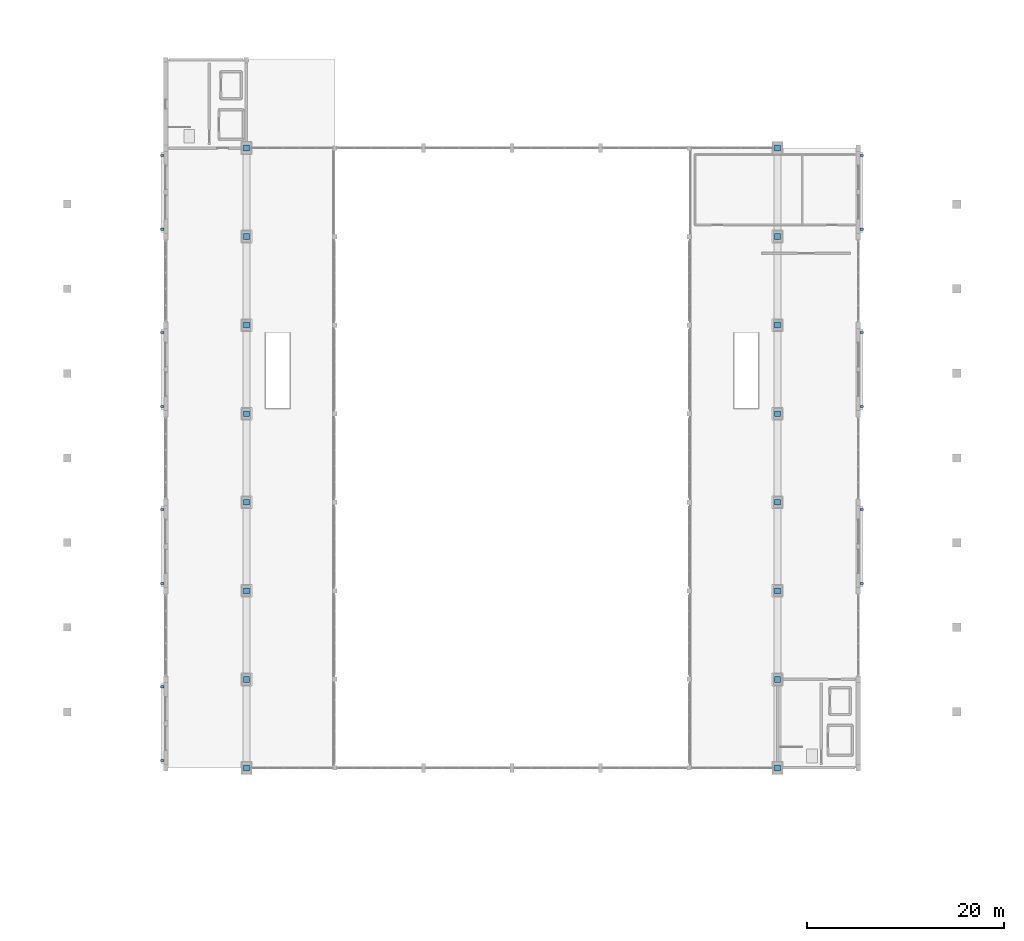
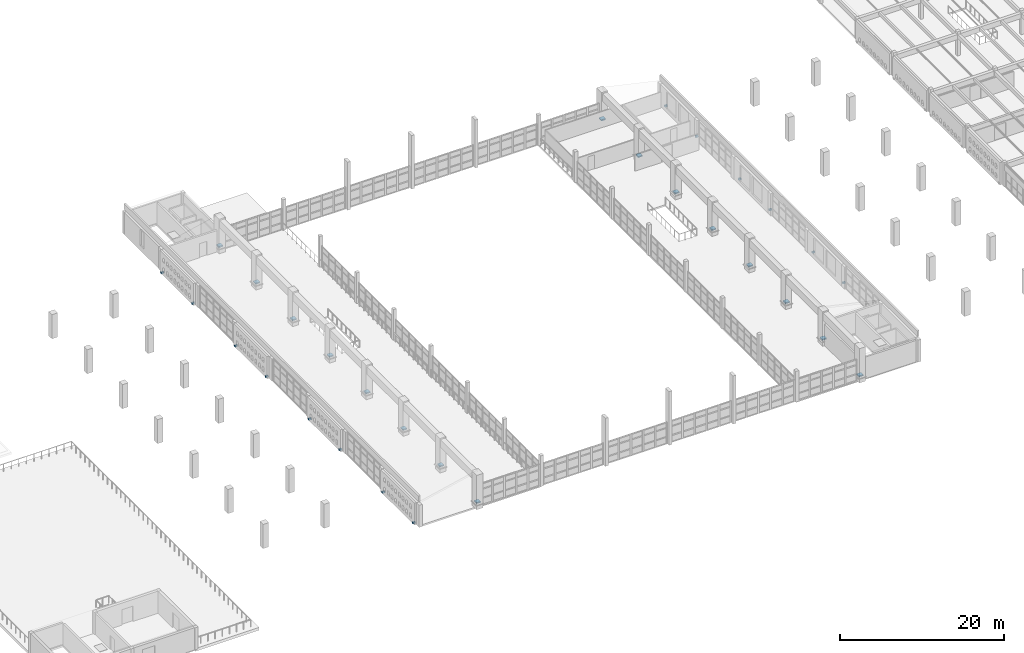
# One storey, part 72 of 80: 30 discrete accessories.
"""IFC4 building model written with IfcOpenShell, lengths in metres."""

import ifcopenshell
import ifcopenshell.guid

model = None  # the IFC model being written
_history = None  # IfcOwnerHistory: only IFC2X3 demands one
_inside = {}  # id of a spatial element -> (the spatial element, [elements in it])
_under = {}  # id of a project, library or spatial element -> (it, [spatial elements below it])
_declared = {}  # id of a project -> (the project, [libraries it declares])
_typed = {}  # id of a type object -> (the type object, [elements of that type])
_made_of = {}  # id of a material, layer set ... -> (it, [elements and type objects made of it])


def new_model(schema):
    """Start an empty IFC model of exactly this schema.

    Asked for "IFC4X3", IfcOpenShell would pick the latest addendum, in which some entities
    have other attributes; the version numbers below select the first issue.
    IFC2X3 requires an IfcOwnerHistory on every rooted entity: one is made here for all.
    """
    global model, _history
    if schema == "IFC4X3":
        model = ifcopenshell.file(schema_version=(4, 3, 0, 0))
    else:
        model = ifcopenshell.file(schema=schema)
    _inside.clear()
    _under.clear()
    _declared.clear()
    _typed.clear()
    _made_of.clear()
    _history = None
    if model.schema == "IFC2X3":
        org = make("IfcOrganization", Name="unknown")
        user = make(
            "IfcPersonAndOrganization",
            ThePerson=make("IfcPerson", FamilyName="unknown"),
            TheOrganization=org,
        )
        app = make(
            "IfcApplication",
            ApplicationDeveloper=org,
            Version="unknown",
            ApplicationFullName="unknown",
            ApplicationIdentifier="unknown",
        )
        _history = make(
            "IfcOwnerHistory",
            OwningUser=user,
            OwningApplication=app,
            ChangeAction="ADDED",
            CreationDate=0,
        )
    return model


def make(cls, **values):
    """One entity of the class cls with the attributes given. An attribute that is None is left unset."""
    return model.create_entity(
        cls, **{name: value for name, value in values.items() if value is not None}
    )


def rooted(cls, **values):
    """An entity with a GlobalId (a new one), such as an element, a storey or a relation."""
    return make(cls, GlobalId=ifcopenshell.guid.new(), OwnerHistory=_history, **values)


def si_unit(unit_type, name, prefix=None):
    """IfcSIUnit, for example si_unit("LENGTHUNIT", "METRE", prefix="MILLI")."""
    return make("IfcSIUnit", UnitType=unit_type, Prefix=prefix, Name=name)


def assignment(units):
    """IfcUnitAssignment: the units of a project."""
    return None if units is None else make("IfcUnitAssignment", Units=units)


def point(xyz):
    """IfcCartesianPoint."""
    return None if xyz is None else make("IfcCartesianPoint", Coordinates=xyz)


def direction(xyz):
    """IfcDirection."""
    return None if xyz is None else make("IfcDirection", DirectionRatios=xyz)


def frame(location, z_axis=None, x_axis=None):
    """IfcAxis2Placement3D, a coordinate frame: its origin and axes. An axis left out is left unset."""
    return make(
        "IfcAxis2Placement3D",
        Location=point(location),
        Axis=direction(z_axis),
        RefDirection=direction(x_axis),
    )


def frame_2d(location, x_axis=None):
    """IfcAxis2Placement2D, a coordinate frame in the plane: its origin and x axis."""
    return make(
        "IfcAxis2Placement2D", Location=point(location), RefDirection=direction(x_axis)
    )


def origin():
    """The frame at (0, 0, 0) with its axes left unset."""
    return frame((0.0, 0.0, 0.0))


def origin_2d():
    """The frame at (0, 0) in the plane with its x axis left unset."""
    return frame_2d((0.0, 0.0))


def place(relative_to, where):
    """IfcLocalPlacement: puts the frame where relative to a parent placement (None: the world)."""
    return make(
        "IfcLocalPlacement", PlacementRelTo=relative_to, RelativePlacement=where
    )


def context(
    kind, dimensions, precision=None, world=None, true_north=None, identifier=None
):
    """IfcGeometricRepresentationContext, for example the 3D "Model" context."""
    return make(
        "IfcGeometricRepresentationContext",
        ContextIdentifier=identifier,
        ContextType=kind,
        CoordinateSpaceDimension=dimensions,
        Precision=precision,
        WorldCoordinateSystem=world,
        TrueNorth=true_north,
    )


def subcontext(parent, identifier, kind, view, scale=None):
    """IfcGeometricRepresentationSubContext, for example "Body" below "Model"."""
    return make(
        "IfcGeometricRepresentationSubContext",
        ContextIdentifier=identifier,
        ContextType=kind,
        ParentContext=parent,
        TargetScale=scale,
        TargetView=view,
    )


def project(units=None, contexts=None):
    """IfcProject with its units and contexts."""
    return rooted(
        "IfcProject",
        Name="project",
        RepresentationContexts=contexts,
        UnitsInContext=assignment(units),
    )


def spatial(cls, under=None, at=None, **own):
    """A site, building, storey or space (cls), placed at a placement, below another one or the project."""
    s = rooted(cls, ObjectPlacement=at, **own)
    if under is not None:
        _under.setdefault(under.id(), (under, []))[1].append(s)
    return s


def profile(cls, at=None, kind="AREA", **sizes):
    """A parametric profile (cls). Its sizes go by their IFC names, for example OverallWidth=200.0."""
    return make(cls, ProfileType=kind, Position=at, **sizes)


def rectangle(**sizes):
    """IfcRectangleProfileDef."""
    return profile("IfcRectangleProfileDef", **sizes)


def extrude(swept, where, along, depth):
    """IfcExtrudedAreaSolid: the profile swept, set in the frame where, extruded along a direction by depth."""
    return make(
        "IfcExtrudedAreaSolid",
        SweptArea=swept,
        Position=where,
        ExtrudedDirection=direction(along),
        Depth=depth,
    )


def shape(context_of_items, identifier, shape_type, items):
    """IfcShapeRepresentation: the items that make up one representation, for example the "Body"."""
    return make(
        "IfcShapeRepresentation",
        ContextOfItems=context_of_items,
        RepresentationIdentifier=identifier,
        RepresentationType=shape_type,
        Items=items,
    )


def material(Name=None, Category=None):
    """IfcMaterial."""
    return make("IfcMaterial", Name=Name, Category=Category)


def made_of(thing, what):
    """Note that an element or type object is made of a material, layer set ...; save() writes the relation."""
    if what is not None:
        _made_of.setdefault(what.id(), (what, []))[1].append(thing)
    return thing


def type_object(cls, material=None, **own):
    """A type object (cls), such as IfcWallType, which elements share."""
    return made_of(rooted(cls, **own), material)


def element(
    cls,
    number,
    at=None,
    inside=None,
    cuts=None,
    type_object=None,
    material=None,
    context=None,
    identifier="Body",
    shape_type=None,
    held_by="IfcProductDefinitionShape",
    body=None,
    shapes=None,
    **own,
):
    """One element of the class cls, such as IfcWall. Its Tag is "e" and its number.

    at: its placement. inside: the storey or other place that contains it. cuts: it is an
    opening in that element (IfcRelVoidsElement). A single representation is given by context,
    identifier, shape_type and body (its items); several are given by shapes. held_by: the class
    of the entity that holds the representations. save() writes the other relations.
    """
    e = rooted(cls, Tag="e%d" % number, ObjectPlacement=at, **own)
    if body is not None:
        shapes = [shape(context, identifier, shape_type, body)]
    if shapes is not None:
        e.Representation = make(held_by, Representations=shapes)
    if inside is not None:
        _inside.setdefault(inside.id(), (inside, []))[1].append(e)
    if cuts is not None:
        rooted(
            "IfcRelVoidsElement", RelatingBuildingElement=cuts, RelatedOpeningElement=e
        )
    if type_object is not None:
        _typed.setdefault(type_object.id(), (type_object, []))[1].append(e)
    return made_of(e, material)


def aggregate(whole, parts):
    """IfcRelAggregates: a whole, such as a stair, and the parts it consists of."""
    return rooted("IfcRelAggregates", RelatingObject=whole, RelatedObjects=parts)


def save(model, path):
    """Write the relations noted so far, then the file.

    IfcRelAggregates (storeys below a building ...), IfcRelContainedInSpatialStructure (elements
    in a storey), IfcRelDefinesByType, IfcRelAssociatesMaterial and IfcRelDeclares: one each for
    every whole, place, type object, material and project.
    """
    for whole, parts in _under.values():
        aggregate(whole, parts)
    for where, things in _inside.values():
        rooted(
            "IfcRelContainedInSpatialStructure",
            RelatedElements=things,
            RelatingStructure=where,
        )
    for kind, things in _typed.values():
        rooted("IfcRelDefinesByType", RelatedObjects=things, RelatingType=kind)
    for what, things in _made_of.values():
        rooted("IfcRelAssociatesMaterial", RelatedObjects=things, RelatingMaterial=what)
    for by, libraries in _declared.values():
        rooted("IfcRelDeclares", RelatingContext=by, RelatedDefinitions=libraries)
    model.write(path)


model = new_model("IFC4")

# Units and contexts
model_context = context("Model", 3, precision=1e-05, world=origin(), true_north=direction((0.0, 1.0)))
body_context = subcontext(model_context, "Body", "Model", "MODEL_VIEW")
ifc_project = project(units=[si_unit("LENGTHUNIT", "METRE"), si_unit("AREAUNIT", "SQUARE_METRE"), si_unit("VOLUMEUNIT", "CUBIC_METRE"), si_unit("PLANEANGLEUNIT", "RADIAN"), si_unit("MASSUNIT", "GRAM", prefix="KILO")], contexts=[model_context])

# Site, building, storey
site_placement = place(None, origin())
site = spatial("IfcSite", under=ifc_project, at=site_placement, CompositionType="ELEMENT")
building_placement = place(site_placement, origin())
building = spatial("IfcBuilding", under=site, at=building_placement, Name="Ornek Quay Market", CompositionType="ELEMENT")
storey_placement = place(building_placement, frame((0.0, 0.0, 8.39990234375)))
storey = spatial("IfcBuildingStorey", under=building, at=storey_placement, Name="L02", CompositionType="ELEMENT", Elevation=8.39990234375)

# Discrete accessories
ifc_material_1 = material(Name="Stainless steel 316", Category="steel")
discrete_accessory_type_1 = type_object("IfcDiscreteAccessoryType", Name="ACC-BRK-SCREEN-250", PredefinedType="BRACKET", material=ifc_material_1)
for number, where, z_axis, x_axis, name in (
    (1, (54.4599609375, 29.75, 0.0), (0.0, 0.0, 1.0), (0.0, 1.0, 0.0), "Masonry screen bracket BRK-109"),
    (2, (54.4599609375, 37.25, 0.0), (0.0, 0.0, 1.0), (0.0, 1.0, 0.0), "Masonry screen bracket BRK-110"),
    (3, (54.4599609375, 47.75, 0.0), (0.0, 0.0, 1.0), (0.0, 1.0, 0.0), "Masonry screen bracket BRK-111"),
    (4, (54.4599609375, 55.25, 0.0), (0.0, 0.0, 1.0), (0.0, 1.0, 0.0), "Masonry screen bracket BRK-112"),
    (5, (54.4599609375, 65.75, 0.0), (0.0, 0.0, 1.0), (0.0, 1.0, 0.0), "Masonry screen bracket BRK-113"),
    (6, (54.4599609375, 73.25, 0.0), (0.0, 0.0, 1.0), (0.0, 1.0, 0.0), "Masonry screen bracket BRK-114"),
    (7, (54.4599609375, 83.75, 0.0), (0.0, 0.0, 1.0), (0.0, 1.0, 0.0), "Masonry screen bracket BRK-115"),
    (8, (54.4599609375, 91.25, 0.0), (0.0, 0.0, 1.0), (0.0, 1.0, 0.0), "Masonry screen bracket BRK-116"),
    (9, (125.5400390625, 47.75, 0.0), (0.0, 0.0, 1.0), (0.0, 1.0, 0.0), "Masonry screen bracket BRK-117"),
    (10, (125.5400390625, 55.25, 0.0), (0.0, 0.0, 1.0), (0.0, 1.0, 0.0), "Masonry screen bracket BRK-118"),
    (11, (125.5400390625, 65.75, 0.0), (0.0, 0.0, 1.0), (0.0, 1.0, 0.0), "Masonry screen bracket BRK-119"),
    (12, (125.5400390625, 73.25, 0.0), (0.0, 0.0, 1.0), (0.0, 1.0, 0.0), "Masonry screen bracket BRK-120"),
    (13, (125.5400390625, 83.75, 0.0), (0.0, 0.0, 1.0), (0.0, 1.0, 0.0), "Masonry screen bracket BRK-121"),
    (14, (125.5400390625, 91.25, 0.0), (0.0, 0.0, 1.0), (0.0, 1.0, 0.0), "Masonry screen bracket BRK-122"),
):
    element("IfcDiscreteAccessory", number, at=place(storey_placement, frame(where, z_axis=z_axis, x_axis=x_axis)), inside=storey, type_object=discrete_accessory_type_1, Name=name, PredefinedType="BRACKET", context=body_context, shape_type="SweptSolid", body=[
        extrude(rectangle(XDim=0.219970703125, YDim=0.360107421875, at=origin_2d()), origin(), (0.0, 0.0, 1.0), 0.260009765625),
    ])
ifc_material_2 = material(Name="Steel S355", Category="steel")
discrete_accessory_type_2 = type_object("IfcDiscreteAccessoryType", Name="ACC-SHOE-ARCH-600", PredefinedType="SHOE", material=ifc_material_2)
for number, where, z_axis, x_axis, name in (
    (15, (63.0, 29.0, 0.64990234375), (0.0, 0.0, 1.0), (1.0, 0.0, 0.0), "Arch cast shoe Grid D-W"),
    (16, (117.0, 29.0, 0.64990234375), (0.0, 0.0, 1.0), (1.0, 0.0, 0.0), "Arch cast shoe Grid D-E"),
    (17, (63.0, 38.0, 0.64990234375), (0.0, 0.0, 1.0), (1.0, 0.0, 0.0), "Arch cast shoe Grid E-W"),
    (18, (117.0, 38.0, 0.64990234375), (0.0, 0.0, 1.0), (1.0, 0.0, 0.0), "Arch cast shoe Grid E-E"),
    (19, (63.0, 47.0, 0.64990234375), (0.0, 0.0, 1.0), (1.0, 0.0, 0.0), "Arch cast shoe Grid F-W"),
    (20, (117.0, 47.0, 0.64990234375), (0.0, 0.0, 1.0), (1.0, 0.0, 0.0), "Arch cast shoe Grid F-E"),
    (21, (63.0, 56.0, 0.64990234375), (0.0, 0.0, 1.0), (1.0, 0.0, 0.0), "Arch cast shoe Grid G-W"),
    (22, (117.0, 56.0, 0.64990234375), (0.0, 0.0, 1.0), (1.0, 0.0, 0.0), "Arch cast shoe Grid G-E"),
    (23, (63.0, 65.0, 0.64990234375), (0.0, 0.0, 1.0), (1.0, 0.0, 0.0), "Arch cast shoe Grid H-W"),
    (24, (117.0, 65.0, 0.64990234375), (0.0, 0.0, 1.0), (1.0, 0.0, 0.0), "Arch cast shoe Grid H-E"),
    (25, (63.0, 74.0, 0.64990234375), (0.0, 0.0, 1.0), (1.0, 0.0, 0.0), "Arch cast shoe Grid J-W"),
    (26, (117.0, 74.0, 0.64990234375), (0.0, 0.0, 1.0), (1.0, 0.0, 0.0), "Arch cast shoe Grid J-E"),
    (27, (63.0, 83.0, 0.64990234375), (0.0, 0.0, 1.0), (1.0, 0.0, 0.0), "Arch cast shoe Grid K-W"),
    (28, (117.0, 83.0, 0.64990234375), (0.0, 0.0, 1.0), (1.0, 0.0, 0.0), "Arch cast shoe Grid K-E"),
    (29, (63.0, 92.0, 0.64990234375), (0.0, 0.0, 1.0), (1.0, 0.0, 0.0), "Arch cast shoe Grid L-W"),
    (30, (117.0, 92.0, 0.64990234375), (0.0, 0.0, 1.0), (1.0, 0.0, 0.0), "Arch cast shoe Grid L-E"),
):
    element("IfcDiscreteAccessory", number, at=place(storey_placement, frame(where, z_axis=z_axis, x_axis=x_axis)), inside=storey, type_object=discrete_accessory_type_2, Name=name, PredefinedType="SHOE", context=body_context, shape_type="SweptSolid", body=[
        extrude(rectangle(XDim=0.60009765625, YDim=0.60009765625, at=origin_2d()), origin(), (0.0, 0.0, 1.0), 0.179931640625),
    ])

save(model, "model.ifc")
